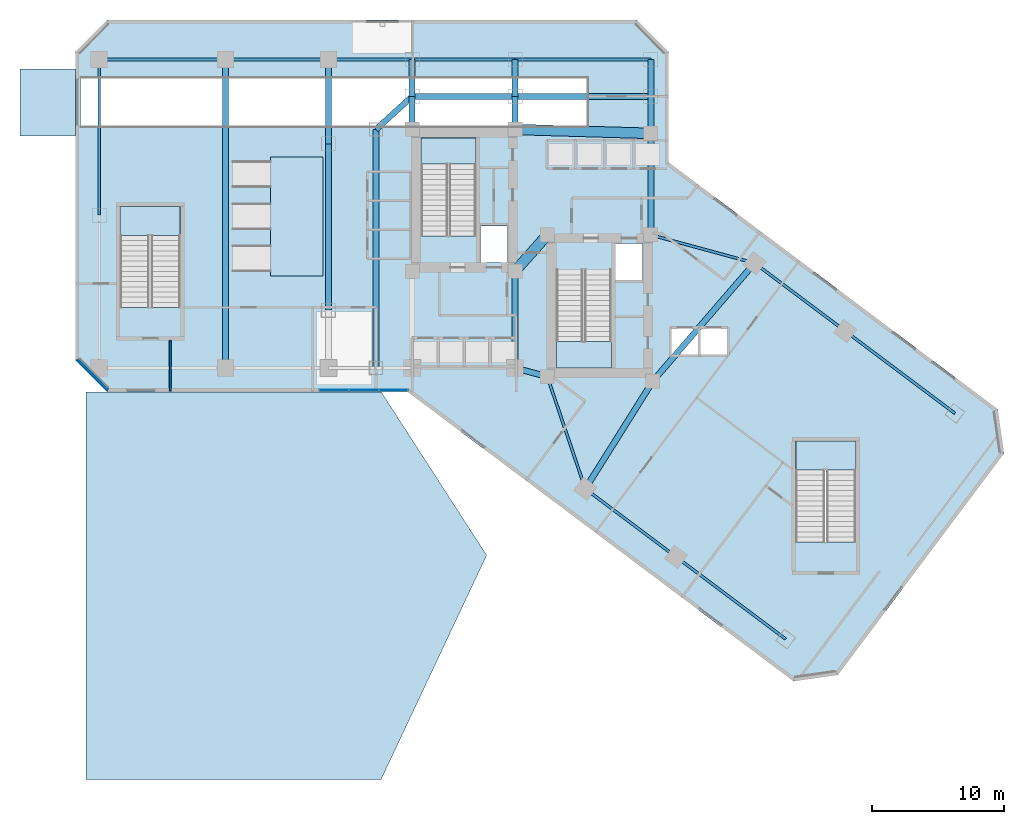
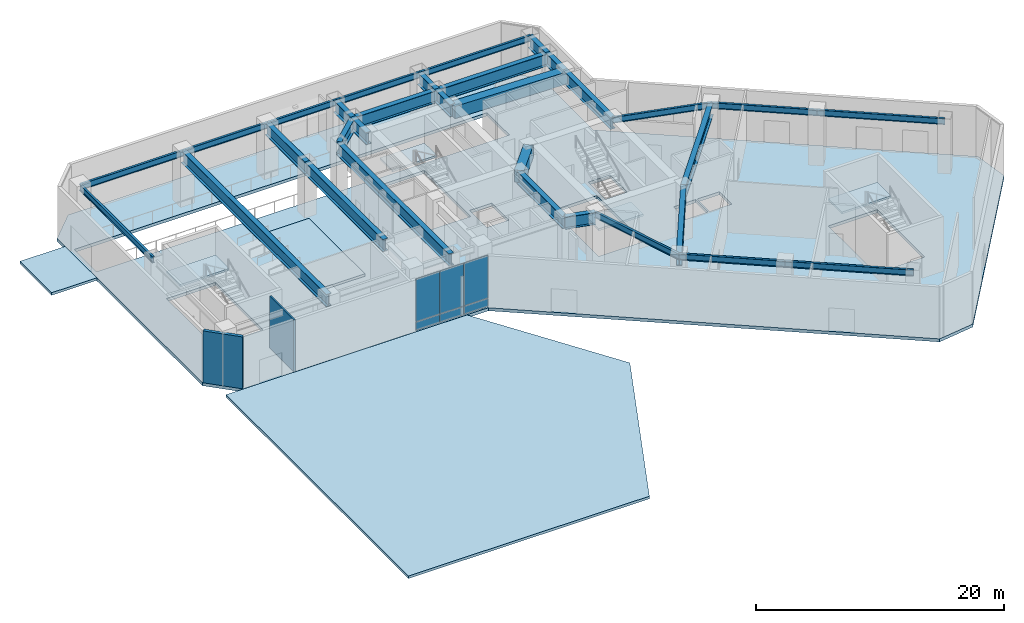
# One storey, part 3 of 13: 32 beams, 8 slabs, 6 plates, 2 walls, 5 elements without a shape of their own.
"""IFC4 building model written with IfcOpenShell, lengths in metres."""

from ifc_helpers import new_model, si_unit, direction, frame, frame_2d, origin, origin_2d, place, context, subcontext, project, spatial, polyline, rectangle, i_section, outline, extrude, material, layer, layer_set, material_profile, profile_set, type_object, element, aggregate, save


model = new_model("IFC4")

# Units and contexts
model_context = context("Model", 3, precision=1e-05, world=origin(), true_north=direction((0.0, 1.0)))
body_context = subcontext(model_context, "Body", "Model", "MODEL_VIEW")
ifc_project = project(units=[si_unit("LENGTHUNIT", "METRE"), si_unit("AREAUNIT", "SQUARE_METRE"), si_unit("VOLUMEUNIT", "CUBIC_METRE"), si_unit("PLANEANGLEUNIT", "RADIAN"), si_unit("MASSUNIT", "GRAM", prefix="KILO")], contexts=[model_context])

# Site, building, storey
site_placement = place(None, origin())
site = spatial("IfcSite", under=ifc_project, at=site_placement, CompositionType="ELEMENT")
building_placement = place(site_placement, origin())
building = spatial("IfcBuilding", under=site, at=building_placement, Name="Hatsunagi Terrace Concourse", CompositionType="ELEMENT")
storey_placement = place(building_placement, origin())
storey = spatial("IfcBuildingStorey", under=building, at=storey_placement, Name="L01", CompositionType="ELEMENT", Elevation=0.0)

# Beams
ifc_material_1 = material(Name="Concrete Fc60", Category="concrete")
ifc_material_profile_1 = material_profile(ifc_material_1, rectangle(XDim=0.800048828125, YDim=1.199951171875, at=origin_2d()), Name="RC-800x1200")
ifc_profile_set_1 = profile_set([ifc_material_profile_1], Name="Concrete Fc60")
beam_type_1 = type_object("IfcBeamType", Name="CoreCouplingBeam_RC_800x1200", PredefinedType="BEAM", material=ifc_profile_set_1)
beam_1_placement = place(storey_placement, frame((33.35009765625, 32.550048828125, 4.5), z_axis=(0.665198651008, 0.746666427997, 0.0), x_axis=(-0.746666427997, 0.665198651008, 0.0)))
element("IfcBeam", 1, at=beam_1_placement, inside=storey, type_object=beam_type_1, Name="Beam CB-01 CB-L01-1", PredefinedType="BEAM", context=body_context, shape_type="SweptSolid", body=[
    extrude(rectangle(XDim=0.800048828125, YDim=1.199951171875, at=origin_2d()), origin(), (0.0, 0.0, 1.0), 3.68310546875),
])
beam_2_placement = place(storey_placement, frame((33.35009765625, 43.300048828125, 4.5), z_axis=(0.999575947545, -0.029119153303, 0.0), x_axis=(0.029119153303, 0.999575947545, 0.0)))
element("IfcBeam", 2, at=beam_2_placement, inside=storey, type_object=beam_type_1, Name="Beam CB-01 CB-L01-2", PredefinedType="BEAM", context=body_context, shape_type="SweptSolid", body=[
    extrude(rectangle(XDim=0.800048828125, YDim=1.199951171875, at=origin_2d()), origin(), (0.0, 0.0, 1.0), 10.30419921875),
])
ifc_material_2 = material(Name="Steel SN490B", Category="steel")
ifc_material_profile_2 = material_profile(ifc_material_2, i_section(OverallWidth=0.199951171875, OverallDepth=0.60009765625, WebThickness=0.010986328125, FlangeThickness=0.01708984375, FilletRadius=0.01806640625, at=origin_2d()), Name="H-600x200x11x17")
ifc_profile_set_2 = profile_set([ifc_material_profile_2], Name="Steel SN490B")
beam_type_2 = type_object("IfcBeamType", Name="PerimeterSpandrel_H_600x200", PredefinedType="SPANDREL", material=ifc_profile_set_2)
beam_3_placement = place(storey_placement, frame((1.800048828125, 48.60009765625, 4.800048828125), z_axis=(1.0, 0.0, 0.0), x_axis=(0.0, 1.0, 0.0)))
element("IfcBeam", 3, at=beam_3_placement, inside=storey, type_object=beam_type_2, Name="Beam SP-01 BM-L01-WN-1", PredefinedType="SPANDREL", context=body_context, shape_type="SweptSolid", body=[
    extrude(i_section(OverallWidth=0.199951171875, OverallDepth=0.60009765625, WebThickness=0.010986328125, FlangeThickness=0.01708984375, FilletRadius=0.01806640625, at=origin_2d()), origin(), (0.0, 0.0, 1.0), 9.599853515625),
])
beam_4_placement = place(storey_placement, frame((11.39990234375, 48.60009765625, 4.800048828125), z_axis=(1.0, 0.0, 0.0), x_axis=(0.0, 1.0, 0.0)))
element("IfcBeam", 4, at=beam_4_placement, inside=storey, type_object=beam_type_2, Name="Beam SP-01 BM-L01-WN-11", PredefinedType="SPANDREL", context=body_context, shape_type="SweptSolid", body=[
    extrude(i_section(OverallWidth=0.199951171875, OverallDepth=0.60009765625, WebThickness=0.010986328125, FlangeThickness=0.01708984375, FilletRadius=0.01806640625, at=origin_2d()), origin(), (0.0, 0.0, 1.0), 7.800048828125),
])
beam_5_placement = place(storey_placement, frame((19.199951171875, 48.60009765625, 4.800048828125), z_axis=(1.0, 0.0, 0.0), x_axis=(0.0, 1.0, 0.0)))
element("IfcBeam", 5, at=beam_5_placement, inside=storey, type_object=beam_type_2, Name="Beam SP-01 BM-L01-WN-19", PredefinedType="SPANDREL", context=body_context, shape_type="SweptSolid", body=[
    extrude(i_section(OverallWidth=0.199951171875, OverallDepth=0.60009765625, WebThickness=0.010986328125, FlangeThickness=0.01708984375, FilletRadius=0.01806640625, at=origin_2d()), origin(), (0.0, 0.0, 1.0), 6.35009765625),
])
beam_6_placement = place(storey_placement, frame((25.550048828125, 48.60009765625, 4.800048828125), z_axis=(1.0, 0.0, 0.0), x_axis=(0.0, 1.0, 0.0)))
element("IfcBeam", 6, at=beam_6_placement, inside=storey, type_object=beam_type_2, Name="Beam SP-01 BM-L01-WN-25", PredefinedType="SPANDREL", context=body_context, shape_type="SweptSolid", body=[
    extrude(i_section(OverallWidth=0.199951171875, OverallDepth=0.60009765625, WebThickness=0.010986328125, FlangeThickness=0.01708984375, FilletRadius=0.01806640625, at=origin_2d()), origin(), (0.0, 0.0, 1.0), 7.800048828125),
])
beam_7_placement = place(storey_placement, frame((33.35009765625, 48.60009765625, 4.800048828125), z_axis=(1.0, 0.0, 0.0), x_axis=(0.0, 1.0, 0.0)))
element("IfcBeam", 7, at=beam_7_placement, inside=storey, type_object=beam_type_2, Name="Beam SP-01 BM-L01-WN-33", PredefinedType="SPANDREL", context=body_context, shape_type="SweptSolid", body=[
    extrude(i_section(OverallWidth=0.199951171875, OverallDepth=0.60009765625, WebThickness=0.010986328125, FlangeThickness=0.01708984375, FilletRadius=0.01806640625, at=origin_2d()), origin(), (0.0, 0.0, 1.0), 10.2998046875),
])
beam_8_placement = place(storey_placement, frame((1.800048828125, 36.800048828125, 4.800048828125), z_axis=(0.0, 1.0, 0.0), x_axis=(-1.0, 0.0, 0.0)))
element("IfcBeam", 8, at=beam_8_placement, inside=storey, type_object=beam_type_2, Name="Beam SP-01 BM-L01-NS-1-36", PredefinedType="SPANDREL", context=body_context, shape_type="SweptSolid", body=[
    extrude(i_section(OverallWidth=0.199951171875, OverallDepth=0.60009765625, WebThickness=0.010986328125, FlangeThickness=0.01708984375, FilletRadius=0.01806640625, at=origin_2d()), origin(), (0.0, 0.0, 1.0), 11.800048828125),
])
beam_9_placement = place(storey_placement, frame((35.800048828125, 24.550048828125, 4.800048828125), z_axis=(0.320553412271, -0.947230441805, 0.0), x_axis=(0.947230441805, 0.320553412271, 0.0)))
element("IfcBeam", 9, at=beam_9_placement, inside=storey, type_object=beam_type_2, Name="Beam SP-01 BM-L01-SE-SW0", PredefinedType="SPANDREL", context=body_context, shape_type="SweptSolid", body=[
    extrude(i_section(OverallWidth=0.199951171875, OverallDepth=0.60009765625, WebThickness=0.010986328125, FlangeThickness=0.01708984375, FilletRadius=0.01806640625, at=origin_2d()), origin(), (0.0, 0.0, 1.0), 8.984130859375),
])
beam_10_placement = place(storey_placement, frame((43.64990234375, 35.300048828125, 4.800048828125), z_axis=(0.964958359286, -0.262403057994, 0.0), x_axis=(0.262403057994, 0.964958359286, 0.0)))
element("IfcBeam", 10, at=beam_10_placement, inside=storey, type_object=beam_type_2, Name="Beam SP-01 BM-L01-SE-NE0", PredefinedType="SPANDREL", context=body_context, shape_type="SweptSolid", body=[
    extrude(i_section(OverallWidth=0.199951171875, OverallDepth=0.60009765625, WebThickness=0.010986328125, FlangeThickness=0.01708984375, FilletRadius=0.01806640625, at=origin_2d()), origin(), (0.0, 0.0, 1.0), 8.156005859375),
])
beam_11_placement = place(storey_placement, frame((38.679931640625, 16.0400390625, 4.800048828125), z_axis=(0.799996593451, -0.600004542038, 0.0), x_axis=(0.600004542038, 0.799996593451, 0.0)))
element("IfcBeam", 11, at=beam_11_placement, inside=storey, type_object=beam_type_2, Name="Beam SP-01 BM-L01-SE-SW2", PredefinedType="SPANDREL", context=body_context, shape_type="SweptSolid", body=[
    extrude(i_section(OverallWidth=0.199951171875, OverallDepth=0.60009765625, WebThickness=0.010986328125, FlangeThickness=0.01708984375, FilletRadius=0.01806640625, at=origin_2d()), origin(), (0.0, 0.0, 1.0), 8.60009765625),
])
beam_12_placement = place(storey_placement, frame((51.52001953125, 33.159912109375, 4.800048828125), z_axis=(0.8, -0.6, 0.0), x_axis=(0.6, 0.8, 0.0)))
element("IfcBeam", 12, at=beam_12_placement, inside=storey, type_object=beam_type_2, Name="Beam SP-01 BM-L01-SE-NE2", PredefinedType="SPANDREL", context=body_context, shape_type="SweptSolid", body=[
    extrude(i_section(OverallWidth=0.199951171875, OverallDepth=0.60009765625, WebThickness=0.010986328125, FlangeThickness=0.01708984375, FilletRadius=0.01806640625, at=origin_2d()), origin(), (0.0, 0.0, 1.0), 8.599853515625),
])
beam_13_placement = place(storey_placement, frame((45.56005859375, 10.8798828125, 4.800048828125), z_axis=(0.799994365871, -0.600007512099, 0.0), x_axis=(0.600007512099, 0.799994365871, 0.0)))
element("IfcBeam", 13, at=beam_13_placement, inside=storey, type_object=beam_type_2, Name="Beam SP-01 BM-L01-SE-SW3", PredefinedType="SPANDREL", context=body_context, shape_type="SweptSolid", body=[
    extrude(i_section(OverallWidth=0.199951171875, OverallDepth=0.60009765625, WebThickness=0.010986328125, FlangeThickness=0.01708984375, FilletRadius=0.01806640625, at=origin_2d()), origin(), (0.0, 0.0, 1.0), 10.39990234375),
])
beam_14_placement = place(storey_placement, frame((58.39990234375, 28.0, 4.800048828125), z_axis=(0.800002816985, -0.599996244001, 0.0), x_axis=(0.599996244001, 0.800002816985, 0.0)))
element("IfcBeam", 14, at=beam_14_placement, inside=storey, type_object=beam_type_2, Name="Beam SP-01 BM-L01-SE-NE3", PredefinedType="SPANDREL", context=body_context, shape_type="SweptSolid", body=[
    extrude(i_section(OverallWidth=0.199951171875, OverallDepth=0.60009765625, WebThickness=0.010986328125, FlangeThickness=0.01708984375, FilletRadius=0.01806640625, at=origin_2d()), origin(), (0.0, 0.0, 1.0), 10.400146484375),
])
ifc_material_3 = material(Name="Steel SN490B", Category="steel")
ifc_material_profile_3 = material_profile(ifc_material_3, i_section(OverallWidth=0.449951171875, OverallDepth=1.199951171875, WebThickness=0.02490234375, FlangeThickness=0.035888671875, at=origin_2d()), Name="BH-1200x450x25x36")
ifc_profile_set_3 = profile_set([ifc_material_profile_3], Name="Steel SN490B")
beam_type_3 = type_object("IfcBeamType", Name="PodiumHallGirder_BH_1200x450x25x36", PredefinedType="BEAM", material=ifc_profile_set_3)
beam_15_placement = place(storey_placement, frame((33.35009765625, 25.199951171875, 4.5), z_axis=(0.0, 1.0, 0.0), x_axis=(-1.0, 0.0, 0.0)))
element("IfcBeam", 15, at=beam_15_placement, inside=storey, type_object=beam_type_3, Name="Beam G-01 BM-L01-K2CA", PredefinedType="BEAM", context=body_context, shape_type="SweptSolid", body=[
    extrude(i_section(OverallWidth=0.449951171875, OverallDepth=1.199951171875, WebThickness=0.02490234375, FlangeThickness=0.035888671875, at=origin_2d()), origin(), (0.0, 0.0, 1.0), 7.35009765625),
])
beam_16_placement = place(storey_placement, frame((33.35009765625, 25.199951171875, 4.5), z_axis=(0.966569840116, -0.256403479262, 0.0), x_axis=(0.256403479262, 0.966569840116, 0.0)))
element("IfcBeam", 16, at=beam_16_placement, inside=storey, type_object=beam_type_3, Name="Beam G-01 BM-L01-K2CB", PredefinedType="BEAM", context=body_context, shape_type="SweptSolid", body=[
    extrude(i_section(OverallWidth=0.449951171875, OverallDepth=1.199951171875, WebThickness=0.02490234375, FlangeThickness=0.035888671875, at=origin_2d()), origin(), (0.0, 0.0, 1.0), 2.53466796875),
])
beam_17_placement = place(storey_placement, frame((43.64990234375, 35.300048828125, 4.5), z_axis=(0.0, 1.0, 0.0), x_axis=(-1.0, 0.0, 0.0)))
element("IfcBeam", 17, at=beam_17_placement, inside=storey, type_object=beam_type_3, Name="Beam G-01 BM-L01-CBK3", PredefinedType="BEAM", context=body_context, shape_type="SweptSolid", body=[
    extrude(i_section(OverallWidth=0.449951171875, OverallDepth=1.199951171875, WebThickness=0.02490234375, FlangeThickness=0.035888671875, at=origin_2d()), origin(), (0.0, 0.0, 1.0), 7.699951171875),
])
for number, where, z_axis, x_axis, name in (
    (18, (25.550048828125, 43.300048828125, 4.5), (0.0, 1.0, 0.0), (-1.0, 0.0, 0.0), "Beam G-01 BM-L01-CN1"),
    (19, (33.35009765625, 43.300048828125, 4.5), (0.0, 1.0, 0.0), (-1.0, 0.0, 0.0), "Beam G-01 BM-L01-CN2"),
):
    element("IfcBeam", number, at=place(storey_placement, frame(where, z_axis=z_axis, x_axis=x_axis)), inside=storey, type_object=beam_type_3, Name=name, PredefinedType="BEAM", context=body_context, shape_type="SweptSolid", body=[
        extrude(i_section(OverallWidth=0.449951171875, OverallDepth=1.199951171875, WebThickness=0.02490234375, FlangeThickness=0.035888671875, at=origin_2d()), origin(), (0.0, 0.0, 1.0), 2.5),
    ])
beam_18_placement = place(storey_placement, frame((43.64990234375, 43.0, 4.5), z_axis=(0.0, 1.0, 0.0), x_axis=(-1.0, 0.0, 0.0)))
element("IfcBeam", 20, at=beam_18_placement, inside=storey, type_object=beam_type_3, Name="Beam G-01 BM-L01-CN3", PredefinedType="BEAM", context=body_context, shape_type="SweptSolid", body=[
    extrude(i_section(OverallWidth=0.449951171875, OverallDepth=1.199951171875, WebThickness=0.02490234375, FlangeThickness=0.035888671875, at=origin_2d()), origin(), (0.0, 0.0, 1.0), 2.800048828125),
])
beam_19_placement = place(storey_placement, frame((25.550048828125, 45.800048828125, 4.5), z_axis=(1.0, 0.0, 0.0), x_axis=(0.0, 1.0, 0.0)))
element("IfcBeam", 21, at=beam_19_placement, inside=storey, type_object=beam_type_3, Name="Beam G-01 BM-L01-CNEW1", PredefinedType="BEAM", context=body_context, shape_type="SweptSolid", body=[
    extrude(i_section(OverallWidth=0.449951171875, OverallDepth=1.199951171875, WebThickness=0.02490234375, FlangeThickness=0.035888671875, at=origin_2d()), origin(), (0.0, 0.0, 1.0), 7.800048828125),
])
beam_20_placement = place(storey_placement, frame((33.35009765625, 45.800048828125, 4.5), z_axis=(1.0, 0.0, 0.0), x_axis=(0.0, 1.0, 0.0)))
element("IfcBeam", 22, at=beam_20_placement, inside=storey, type_object=beam_type_3, Name="Beam G-01 BM-L01-CNEW2", PredefinedType="BEAM", context=body_context, shape_type="SweptSolid", body=[
    extrude(i_section(OverallWidth=0.449951171875, OverallDepth=1.199951171875, WebThickness=0.02490234375, FlangeThickness=0.035888671875, at=origin_2d()), origin(), (0.0, 0.0, 1.0), 10.2998046875),
])
for number, where, z_axis, x_axis, name in (
    (23, (25.550048828125, 45.800048828125, 4.5), (0.0, 1.0, 0.0), (-1.0, 0.0, 0.0), "Beam G-01 BM-L01-KN-WN4"),
    (24, (33.35009765625, 45.800048828125, 4.5), (0.0, 1.0, 0.0), (-1.0, 0.0, 0.0), "Beam G-01 BM-L01-KN-WN5"),
    (25, (43.64990234375, 45.800048828125, 4.5), (0.0, 1.0, 0.0), (-1.0, 0.0, 0.0), "Beam G-01 BM-L01-KN-WN6"),
):
    element("IfcBeam", number, at=place(storey_placement, frame(where, z_axis=z_axis, x_axis=x_axis)), inside=storey, type_object=beam_type_3, Name=name, PredefinedType="BEAM", context=body_context, shape_type="SweptSolid", body=[
        extrude(i_section(OverallWidth=0.449951171875, OverallDepth=1.199951171875, WebThickness=0.02490234375, FlangeThickness=0.035888671875, at=origin_2d()), origin(), (0.0, 0.0, 1.0), 2.800048828125),
    ])
beam_21_placement = place(storey_placement, frame((22.800048828125, 25.199951171875, 4.5), z_axis=(0.0, 1.0, 0.0), x_axis=(-1.0, 0.0, 0.0)))
element("IfcBeam", 26, at=beam_21_placement, inside=storey, type_object=beam_type_3, Name="Beam G-01 BM-L01-CWNS", PredefinedType="BEAM", context=body_context, shape_type="SweptSolid", body=[
    extrude(i_section(OverallWidth=0.449951171875, OverallDepth=1.199951171875, WebThickness=0.02490234375, FlangeThickness=0.035888671875, at=origin_2d()), origin(), (0.0, 0.0, 1.0), 18.10009765625),
])
beam_22_placement = place(storey_placement, frame((22.800048828125, 43.300048828125, 4.5), z_axis=(0.739940073396, 0.672672793996, 0.0), x_axis=(-0.672672793996, 0.739940073396, 0.0)))
element("IfcBeam", 27, at=beam_22_placement, inside=storey, type_object=beam_type_3, Name="Beam G-01 BM-L01-CWEW-N", PredefinedType="BEAM", context=body_context, shape_type="SweptSolid", body=[
    extrude(i_section(OverallWidth=0.449951171875, OverallDepth=1.199951171875, WebThickness=0.02490234375, FlangeThickness=0.035888671875, at=origin_2d()), origin(), (0.0, 0.0, 1.0), 3.716552734375),
])
beam_23_placement = place(storey_placement, frame((11.39990234375, 25.199951171875, 4.5), z_axis=(0.0, 1.0, 0.0), x_axis=(-1.0, 0.0, 0.0)))
element("IfcBeam", 28, at=beam_23_placement, inside=storey, type_object=beam_type_3, Name="Beam G-01 BM-L01-NS-11-25", PredefinedType="BEAM", context=body_context, shape_type="SweptSolid", body=[
    extrude(i_section(OverallWidth=0.449951171875, OverallDepth=1.199951171875, WebThickness=0.02490234375, FlangeThickness=0.035888671875, at=origin_2d()), origin(), (0.0, 0.0, 1.0), 23.400146484375),
])
beam_24_placement = place(storey_placement, frame((19.199951171875, 29.60009765625, 4.5), z_axis=(0.0, 1.0, 0.0), x_axis=(-1.0, 0.0, 0.0)))
element("IfcBeam", 29, at=beam_24_placement, inside=storey, type_object=beam_type_3, Name="Beam G-01 BM-L01-NS-19-29", PredefinedType="BEAM", context=body_context, shape_type="SweptSolid", body=[
    extrude(i_section(OverallWidth=0.449951171875, OverallDepth=1.199951171875, WebThickness=0.02490234375, FlangeThickness=0.035888671875, at=origin_2d()), origin(), (0.0, 0.0, 1.0), 12.599853515625),
])
beam_25_placement = place(storey_placement, frame((19.199951171875, 42.199951171875, 4.5), z_axis=(0.0, 1.0, 0.0), x_axis=(-1.0, 0.0, 0.0)))
element("IfcBeam", 30, at=beam_25_placement, inside=storey, type_object=beam_type_3, Name="Beam G-01 BM-L01-NS-19-42", PredefinedType="BEAM", context=body_context, shape_type="SweptSolid", body=[
    extrude(i_section(OverallWidth=0.449951171875, OverallDepth=1.199951171875, WebThickness=0.02490234375, FlangeThickness=0.035888671875, at=origin_2d()), origin(), (0.0, 0.0, 1.0), 6.400146484375),
])
beam_26_placement = place(storey_placement, frame((38.679931640625, 16.0400390625, 4.5), z_axis=(0.531503907049, 0.847055840421, 0.0), x_axis=(-0.847055840421, 0.531503907049, 0.0)))
element("IfcBeam", 31, at=beam_26_placement, inside=storey, type_object=beam_type_3, Name="Beam G-01 BM-L01-SET-1A", PredefinedType="BEAM", context=body_context, shape_type="SweptSolid", body=[
    extrude(i_section(OverallWidth=0.449951171875, OverallDepth=1.199951171875, WebThickness=0.02490234375, FlangeThickness=0.035888671875, at=origin_2d()), origin(), (0.0, 0.0, 1.0), 9.63330078125),
])
beam_27_placement = place(storey_placement, frame((43.800048828125, 24.199951171875, 4.5), z_axis=(0.652739101421, 0.757582777969, 0.0), x_axis=(-0.757582777969, 0.652739101421, 0.0)))
element("IfcBeam", 32, at=beam_27_placement, inside=storey, type_object=beam_type_3, Name="Beam G-01 BM-L01-SET-1B", PredefinedType="BEAM", context=body_context, shape_type="SweptSolid", body=[
    extrude(i_section(OverallWidth=0.449951171875, OverallDepth=1.199951171875, WebThickness=0.02490234375, FlangeThickness=0.035888671875, at=origin_2d()), origin(), (0.0, 0.0, 1.0), 11.8271484375),
])

# Curtain wall, plates
ifc_material_4 = material(Name="Anodised Aluminium Alloy 6063-T5", Category="aluminium")
ifc_layer_1 = layer(ifc_material_4, 0.199951171875)
ifc_layer_set_1 = layer_set([ifc_layer_1], Name="PodiumStorefront_CW01")
curtain_wall_type = type_object("IfcCurtainWallType", Name="PodiumStorefront_CW01", PredefinedType="NOTDEFINED", material=ifc_layer_set_1)
curtain_wall_placement = place(storey_placement, origin())
curtain_wall = element("IfcCurtainWall", 33, at=curtain_wall_placement, inside=storey, type_object=curtain_wall_type, Name="Unitised Curtain Wall CW-01 CW-L01-06", PredefinedType="NOTDEFINED")
ifc_material_5 = material(Name="Warm Terracotta Ceramic Spandrel Panel", Category="masonry")
ifc_layer_2 = layer(ifc_material_5, 0.031982421875)
ifc_layer_set_2 = layer_set([ifc_layer_2], Name="CurtainWallSpandrelPanel_32")
plate_type_1 = type_object("IfcPlateType", Name="CurtainWallSpandrelPanel_32", PredefinedType="SHEET", material=ifc_layer_set_2)
plate_1_placement = place(storey_placement, frame((24.1220703125, 23.5400390625, 0.030029296875), z_axis=(0.0, 0.0, 1.0), x_axis=(-1.0, 0.0, 0.0)))
plate_1 = element("IfcPlate", 34, at=plate_1_placement, type_object=plate_type_1, Name="Terracotta Spandrel Panel SPN-01", PredefinedType="SHEET", context=body_context, shape_type="SweptSolid", body=[
    extrude(rectangle(XDim=2.194091796875, YDim=0.031982421875, at=origin_2d()), origin(), (0.0, 0.0, 1.0), 0.7900390625),
])
plate_2_placement = place(storey_placement, frame((21.873046875, 23.5400390625, 0.030029296875), z_axis=(0.0, 0.0, 1.0), x_axis=(-1.0, 0.0, 0.0)))
plate_2 = element("IfcPlate", 35, at=plate_2_placement, type_object=plate_type_1, Name="Terracotta Spandrel Panel SPN-01", PredefinedType="SHEET", context=body_context, shape_type="SweptSolid", body=[
    extrude(rectangle(XDim=2.194091796875, YDim=0.031982421875, at=origin_2d()), origin(), (0.0, 0.0, 1.0), 0.7900390625),
])
plate_3_placement = place(storey_placement, frame((19.6240234375, 23.5400390625, 0.030029296875), z_axis=(0.0, 0.0, 1.0), x_axis=(-1.0, 0.0, 0.0)))
plate_3 = element("IfcPlate", 36, at=plate_3_placement, type_object=plate_type_1, Name="Terracotta Spandrel Panel SPN-01", PredefinedType="SHEET", context=body_context, shape_type="SweptSolid", body=[
    extrude(rectangle(XDim=2.194091796875, YDim=0.031982421875, at=origin_2d()), origin(), (0.0, 0.0, 1.0), 0.7900390625),
])
ifc_material_6 = material(Name="Low-E Double Insulating Glass 28mm", Category="glass")
ifc_layer_3 = layer(ifc_material_6, 0.028076171875)
ifc_layer_set_3 = layer_set([ifc_layer_3], Name="CurtainWallVisionGlass_28")
plate_type_2 = type_object("IfcPlateType", Name="CurtainWallVisionGlass_28", PredefinedType="CURTAIN_PANEL", material=ifc_layer_set_3)
plate_4_placement = place(storey_placement, frame((24.1220703125, 23.5400390625, 0.880126953125), z_axis=(0.0, 0.0, 1.0), x_axis=(-1.0, 0.0, 0.0)))
plate_4 = element("IfcPlate", 37, at=plate_4_placement, type_object=plate_type_2, Name="Low-E Vision Glass Panel GLZ-01", PredefinedType="CURTAIN_PANEL", context=body_context, shape_type="SweptSolid", body=[
    extrude(rectangle(XDim=2.194091796875, YDim=0.028076171875, at=origin_2d()), origin(), (0.0, 0.0, 1.0), 4.18994140625),
])
plate_5_placement = place(storey_placement, frame((21.873046875, 23.5400390625, 0.880126953125), z_axis=(0.0, 0.0, 1.0), x_axis=(-1.0, 0.0, 0.0)))
plate_5 = element("IfcPlate", 38, at=plate_5_placement, type_object=plate_type_2, Name="Low-E Vision Glass Panel GLZ-01", PredefinedType="CURTAIN_PANEL", context=body_context, shape_type="SweptSolid", body=[
    extrude(rectangle(XDim=2.194091796875, YDim=0.028076171875, at=origin_2d()), origin(), (0.0, 0.0, 1.0), 4.18994140625),
])
plate_6_placement = place(storey_placement, frame((19.6240234375, 23.5400390625, 0.880126953125), z_axis=(0.0, 0.0, 1.0), x_axis=(-1.0, 0.0, 0.0)))
plate_6 = element("IfcPlate", 39, at=plate_6_placement, type_object=plate_type_2, Name="Low-E Vision Glass Panel GLZ-01", PredefinedType="CURTAIN_PANEL", context=body_context, shape_type="SweptSolid", body=[
    extrude(rectangle(XDim=2.194091796875, YDim=0.028076171875, at=origin_2d()), origin(), (0.0, 0.0, 1.0), 4.18994140625),
])
aggregate(curtain_wall, [plate_1, plate_4, plate_2, plate_5, plate_3, plate_6])

# Stair, slab
ifc_material_7 = material(Name="Concrete Fc42", Category="concrete")
stair_type_1 = type_object("IfcStairType", Name="DoglegExitStair_Podium2200_30R_180", PredefinedType="HALF_TURN_STAIR", material=ifc_material_7)
stair_1_placement = place(storey_placement, origin())
stair_1 = element("IfcStair", 40, at=stair_1_placement, inside=storey, type_object=stair_type_1, Name="L01 West Podium Convention Exit Stair ST-P1", PredefinedType="HALF_TURN_STAIR")
ifc_material_8 = material(Name="Concrete Fc42", Category="concrete")
ifc_layer_4 = layer(ifc_material_8, 0.199951171875)
ifc_layer_set_4 = layer_set([ifc_layer_4], Name="DoglegStairLanding_Podium2200")
slab_type_1 = type_object("IfcSlabType", Name="DoglegStairLanding_Podium2200", PredefinedType="LANDING", material=ifc_layer_set_4)
slab_1_placement = place(storey_placement, frame((0.0, 0.0, 2.5)))
slab_1 = element("IfcSlab", 41, at=slab_1_placement, type_object=slab_type_1, Name="ST-P1 landing 1", PredefinedType="LANDING", context=body_context, shape_type="SweptSolid", body=[
    extrude(outline(polyline([(7.949951171875, 35.260009765625), (7.949951171875, 37.4599609375), (3.39990234375, 37.4599609375), (3.39990234375, 35.260009765625), (7.949951171875, 35.260009765625)])), origin(), (0.0, 0.0, 1.0), 0.199951171875),
])
aggregate(stair_1, [slab_1])

stair_2_placement = place(storey_placement, origin())
stair_2 = element("IfcStair", 42, at=stair_2_placement, inside=storey, type_object=stair_type_1, Name="L01 Southeast Podium Ballroom Exit Stair ST-P2", PredefinedType="HALF_TURN_STAIR")
slab_2_placement = place(storey_placement, frame((0.0, 0.0, 2.5)))
slab_2 = element("IfcSlab", 43, at=slab_2_placement, type_object=slab_type_1, Name="ST-P2 landing 1", PredefinedType="LANDING", context=body_context, shape_type="SweptSolid", body=[
    extrude(outline(polyline([(59.199951171875, 17.4599609375), (59.199951171875, 19.659912109375), (54.64990234375, 19.659912109375), (54.64990234375, 17.4599609375), (59.199951171875, 17.4599609375)])), origin(), (0.0, 0.0, 1.0), 0.199951171875),
])
aggregate(stair_2, [slab_2])

ifc_material_9 = material(Name="Concrete Fc42", Category="concrete")
stair_type_2 = type_object("IfcStairType", Name="DoglegExitStair_Tower2000_30R_180", PredefinedType="HALF_TURN_STAIR", material=ifc_material_9)
stair_3_placement = place(storey_placement, origin())
stair_3 = element("IfcStair", 44, at=stair_3_placement, inside=storey, type_object=stair_type_2, Name="L01 Core A Protected Exit Stair ST-A", PredefinedType="HALF_TURN_STAIR")
ifc_material_10 = material(Name="Concrete Fc42", Category="concrete")
ifc_layer_5 = layer(ifc_material_10, 0.199951171875)
ifc_layer_set_5 = layer_set([ifc_layer_5], Name="DoglegStairLanding_Tower2000")
slab_type_2 = type_object("IfcSlabType", Name="DoglegStairLanding_Tower2000", PredefinedType="LANDING", material=ifc_layer_set_5)
slab_3_placement = place(storey_placement, frame((0.0, 0.0, 2.5)))
slab_3 = element("IfcSlab", 45, at=slab_3_placement, type_object=slab_type_2, Name="ST-A landing 1", PredefinedType="LANDING", context=body_context, shape_type="SweptSolid", body=[
    extrude(outline(polyline([(30.3798828125, 40.659912109375), (30.3798828125, 42.659912109375), (26.22998046875, 42.659912109375), (26.22998046875, 40.659912109375), (30.3798828125, 40.659912109375)])), origin(), (0.0, 0.0, 1.0), 0.199951171875),
])
aggregate(stair_3, [slab_3])

stair_4_placement = place(storey_placement, origin())
stair_4 = element("IfcStair", 46, at=stair_4_placement, inside=storey, type_object=stair_type_2, Name="L01 Core B Protected Exit Stair ST-B", PredefinedType="HALF_TURN_STAIR")
slab_4_placement = place(storey_placement, frame((0.0, 0.0, 2.5)))
slab_4 = element("IfcSlab", 47, at=slab_4_placement, type_object=slab_type_2, Name="ST-B landing 1", PredefinedType="LANDING", context=body_context, shape_type="SweptSolid", body=[
    extrude(outline(polyline([(36.5, 27.199951171875), (36.5, 25.199951171875), (40.64990234375, 25.199951171875), (40.64990234375, 27.199951171875), (36.5, 27.199951171875)])), origin(), (0.0, 0.0, 1.0), 0.199951171875),
])
aggregate(stair_4, [slab_4])

# Slabs
ifc_material_11 = material(Name="Concrete Fc42", Category="concrete")
ifc_layer_6 = layer(ifc_material_11, 0.25)
ifc_layer_set_6 = layer_set([ifc_layer_6], Name="ForecourtPlazaPaving_Fc42_250")
slab_type_3 = type_object("IfcSlabType", Name="ForecourtPlazaPaving_Fc42_250", PredefinedType="USERDEFINED", material=ifc_layer_set_6)
slab_5_placement = place(storey_placement, frame((0.0, 0.0, -0.25)))
element("IfcSlab", 48, at=slab_5_placement, inside=storey, type_object=slab_type_3, Name="Hatsunagi Forecourt Stone Plaza Paving", ObjectType="PAVING", PredefinedType="USERDEFINED", context=body_context, shape_type="SweptSolid", body=[
    extrude(outline(polyline([(0.800048828125, -6.0), (23.199951171875, -6.0), (31.199951171875, 11.0), (23.199951171875, 23.389892578125), (0.800048828125, 23.389892578125), (0.800048828125, -6.0)])), origin(), (0.0, 0.0, 1.0), 0.25),
])
slab_6_placement = place(storey_placement, frame((0.0, 0.0, -0.25)))
element("IfcSlab", 49, at=slab_6_placement, inside=storey, type_object=slab_type_3, Name="West Vehicle Ramp Driveway Apron Paving", ObjectType="PAVING", PredefinedType="USERDEFINED", context=body_context, shape_type="SweptSolid", body=[
    extrude(outline(polyline([(-4.199951171875, 42.800048828125), (0.0, 42.800048828125), (0.0, 47.89990234375), (-4.199951171875, 47.89990234375), (-4.199951171875, 42.800048828125)])), origin(), (0.0, 0.0, 1.0), 0.25),
])
ifc_material_12 = material(Name="Concrete Fc42", Category="concrete")
ifc_layer_7 = layer(ifc_material_12, 0.300048828125)
ifc_layer_set_7 = layer_set([ifc_layer_7], Name="PodiumTransferSlab_Fc42_300")
slab_type_4 = type_object("IfcSlabType", Name="PodiumTransferSlab_Fc42_300", PredefinedType="FLOOR", material=ifc_layer_set_7)
slab_7_placement = place(storey_placement, frame((0.0, 0.0, -0.300048828125)))
element("IfcSlab", 50, at=slab_7_placement, inside=storey, type_object=slab_type_4, Name="Floor Slab SL-300 L01", PredefinedType="FLOOR", context=body_context, shape_type="SweptSolid", body=[
    extrude(outline(polyline([(45.0, 40.800048828125), (45.0, 49.199951171875), (42.60009765625, 51.60009765625), (2.39990234375, 51.60009765625), (0.0, 49.199951171875), (0.0, 25.800048828125), (2.39990234375, 23.39990234375), (25.199951171875, 23.39990234375), (54.47998046875, 1.43994140625), (57.840087890625, 1.919921875), (70.43994140625, 18.719970703125), (69.9599609375, 22.080078125), (45.0, 40.800048828125)]), holes=[polyline([(26.22998046875, 35.205078125), (30.3798828125, 35.205078125), (30.3798828125, 42.659912109375), (26.22998046875, 42.659912109375), (26.22998046875, 35.205078125)]), polyline([(36.5, 25.199951171875), (40.64990234375, 25.199951171875), (40.64990234375, 32.655029296875), (36.5, 32.655029296875), (36.5, 25.199951171875)]), polyline([(3.39990234375, 29.804931640625), (7.949951171875, 29.804931640625), (7.949951171875, 37.4599609375), (3.39990234375, 37.4599609375), (3.39990234375, 29.804931640625)]), polyline([(54.64990234375, 12.0048828125), (59.199951171875, 12.0048828125), (59.199951171875, 19.659912109375), (54.64990234375, 19.659912109375), (54.64990234375, 12.0048828125)]), polyline([(30.719970703125, 33.219970703125), (32.780029296875, 33.219970703125), (32.780029296875, 35.97998046875), (30.719970703125, 35.97998046875), (30.719970703125, 33.219970703125)]), polyline([(40.97998046875, 31.8798828125), (43.02001953125, 31.8798828125), (43.02001953125, 34.639892578125), (40.97998046875, 34.639892578125), (40.97998046875, 31.8798828125)]), polyline([(45.199951171875, 26.199951171875), (47.25, 26.199951171875), (47.25, 28.199951171875), (45.199951171875, 28.199951171875), (45.199951171875, 26.199951171875)]), polyline([(47.39990234375, 26.199951171875), (49.449951171875, 26.199951171875), (49.449951171875, 28.199951171875), (47.39990234375, 28.199951171875), (47.39990234375, 26.199951171875)]), polyline([(0.407958984375, 43.550048828125), (38.800048828125, 43.550048828125), (38.800048828125, 47.14990234375), (0.407958984375, 47.14990234375), (0.407958984375, 43.550048828125)])]), origin(), (0.0, 0.0, 1.0), 0.300048828125),
])
slab_8_placement = place(storey_placement, origin())
element("IfcSlab", 51, at=slab_8_placement, inside=storey, type_object=slab_type_4, Name="Concourse Raised Reception Dais Slab", PredefinedType="FLOOR", context=body_context, shape_type="SweptSolid", body=[
    extrude(outline(polyline([(14.800048828125, 32.199951171875), (18.800048828125, 32.199951171875), (18.800048828125, 41.199951171875), (14.800048828125, 41.199951171875), (14.800048828125, 32.199951171875)])), origin(), (0.0, 0.0, 1.0), 0.239990234375),
])

# Walls
ifc_material_13 = material(Name="Acoustic mineral board", Category="gypsum")
ifc_layer_8 = layer(ifc_material_13, 0.14990234375)
ifc_layer_set_8 = layer_set([ifc_layer_8], Name="PartitionWall_EI60_150")
wall_type_1 = type_object("IfcWallType", Name="PartitionWall_EI60_150", PredefinedType="PARTITIONING", material=ifc_layer_set_8)
wall_1_placement = place(storey_placement, frame((7.199951171875, 23.43994140625, 0.0), z_axis=(0.0, 0.0, 1.0), x_axis=(0.0, 1.0, 0.0)))
element("IfcWall", 52, at=wall_1_placement, inside=storey, type_object=wall_type_1, Name="Interior Partition IW-L01-042", PredefinedType="PARTITIONING", context=body_context, shape_type="SweptSolid", body=[
    extrude(rectangle(XDim=3.8701171875, YDim=0.14990234375, at=frame_2d((1.93505859375, 0.0))), origin(), (0.0, 0.0, 1.0), 5.10009765625),
])
ifc_material_14 = material(Name="Autoclaved Lightweight Concrete and Terracotta Cladding", Category="masonry")
ifc_layer_9 = layer(ifc_material_14, 0.280029296875)
ifc_layer_set_9 = layer_set([ifc_layer_9], Name="TerracottaSpandrelWall_280")
wall_type_2 = type_object("IfcWallType", Name="TerracottaSpandrelWall_280", PredefinedType="STANDARD", material=ifc_layer_set_9)
wall_2_placement = place(storey_placement, frame((2.4580078125, 23.5400390625, 0.0), z_axis=(0.0, 0.0, 1.0), x_axis=(-0.707144017911, 0.707069542501, 0.0)))
element("IfcWall", 53, at=wall_2_placement, inside=storey, type_object=wall_type_2, Name="Exterior Spandrel Wall EW-L01-08", PredefinedType="STANDARD", context=body_context, shape_type="SweptSolid", body=[
    extrude(rectangle(XDim=3.278076171875, YDim=0.280029296875, at=frame_2d((1.63916015625, 0.0))), origin(), (0.0, 0.0, 1.0), 5.10009765625),
])

save(model, "model.ifc")
